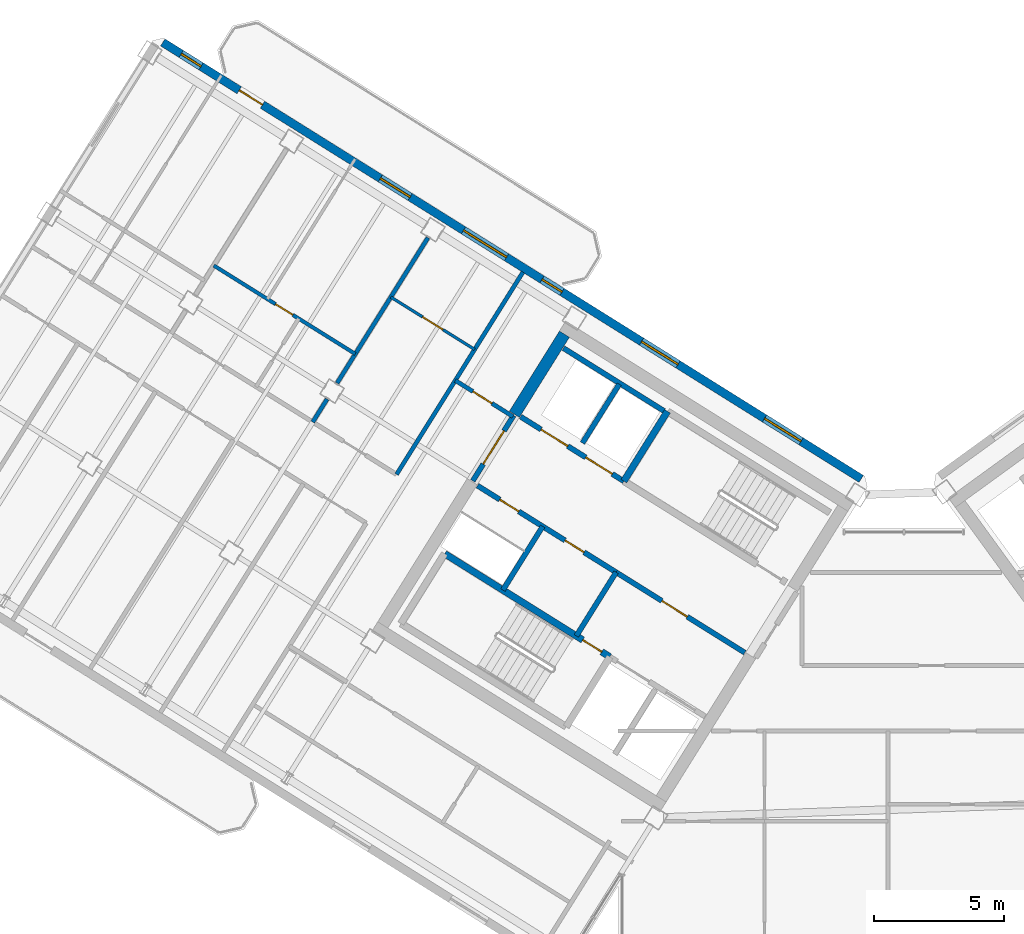
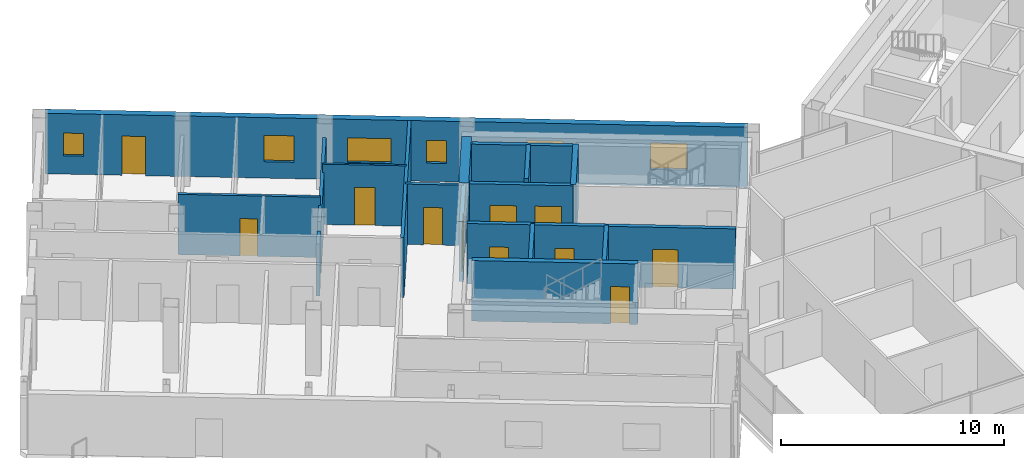
# One storey, part 17 of 25: 18 walls, 11 doors, 6 windows, 17 openings.
"""IFC4 building model written with IfcOpenShell, lengths in metres."""

from ifc_helpers import new_model, si_unit, direction, frame, frame_2d, origin, place, context, subcontext, project, spatial, rectangle, extrude, source, transform, mapped, material, layer, layer_set, type_object, element, fill, save


model = new_model("IFC4")

# Units and contexts
model_context = context("Model", 3, precision=1e-05, world=origin(), true_north=direction((0.0, 1.0)))
body_context = subcontext(model_context, "Body", "Model", "MODEL_VIEW")
ifc_project = project(units=[si_unit("LENGTHUNIT", "METRE"), si_unit("AREAUNIT", "SQUARE_METRE"), si_unit("VOLUMEUNIT", "CUBIC_METRE"), si_unit("PLANEANGLEUNIT", "RADIAN"), si_unit("MASSUNIT", "GRAM", prefix="KILO")], contexts=[model_context])

# Site, building, storey
site_placement = place(None, origin())
site = spatial("IfcSite", under=ifc_project, at=site_placement, CompositionType="ELEMENT")
building_placement = place(site_placement, origin())
building = spatial("IfcBuilding", under=site, at=building_placement, Name="Tlacorven Tower", CompositionType="ELEMENT")
storey_placement = place(building_placement, frame((0.0, 0.0, 251.10009765625)))
storey = spatial("IfcBuildingStorey", under=building, at=storey_placement, Name="L63", CompositionType="ELEMENT", Elevation=251.10009765625)

# Wall
ifc_material_1 = material(Name="Concrete C50/60", Category="concrete")
ifc_layer_1 = layer(ifc_material_1, 0.449951171875)
ifc_layer_set_1 = layer_set([ifc_layer_1], Name="Concrete C50/60")
wall_type_1 = type_object("IfcWallType", Name="WL-COR-450", PredefinedType="SHEAR", material=ifc_layer_set_1)
wall_1_placement = place(storey_placement, frame((29.543701171875, 30.636474609375, 0.0), z_axis=(0.0, 0.0, 1.0), x_axis=(-0.529902075036, -0.848058836916, 0.0)))
element("IfcWall", 1, at=wall_1_placement, inside=storey, type_object=wall_type_1, Name="L63 W core end wall E2.1", PredefinedType="SHEAR", context=body_context, shape_type="SweptSolid", body=[
    extrude(rectangle(XDim=3.625, YDim=0.449951171875, at=frame_2d((1.8125, 0.0))), origin(), (0.0, 0.0, 1.0), 3.31982421875),
])

# Wall, opening, door
ifc_material_2 = material(Name="Gypsum plasterboard acoustic partition", Category="gypsum")
ifc_layer_2 = layer(ifc_material_2, 0.159912109375)
ifc_layer_set_2 = layer_set([ifc_layer_2], Name="Gypsum plasterboard acoustic partition")
wall_type_2 = type_object("IfcWallType", Name="WL-DEM-160", PredefinedType="PARTITIONING", material=ifc_layer_set_2)
wall_2_placement = place(storey_placement, frame((27.56982421875, 27.4775390625, 0.0), z_axis=(0.0, 0.0, 1.0), x_axis=(-0.848050851465, 0.529914854792, 0.0)))
wall_2 = element("IfcWall", 2, at=wall_2_placement, inside=storey, type_object=wall_type_2, Name="L63 partition 36", PredefinedType="PARTITIONING", context=body_context, shape_type="SweptSolid", body=[
    extrude(rectangle(XDim=2.60986328125, YDim=0.159912109375, at=frame_2d((1.304931640625, 0.0))), origin(), (0.0, 0.0, 1.0), 3.309814453125),
])
opening_1_placement = place(wall_2_placement, frame((0.949951171875, 0.0, 0.0)))
opening_1 = element("IfcOpeningElement", 3, at=opening_1_placement, cuts=wall_2, Name="Opening D19", PredefinedType="OPENING", context=body_context, shape_type="SweptSolid", body=[
    extrude(rectangle(XDim=0.860107421875, YDim=2.050048828125, at=frame_2d((0.43017578125, 1.02490234375))), frame((0.0, 0.08984375, 0.0), z_axis=(0.0, -1.0, 0.0), x_axis=(1.0, 0.0, 0.0)), (0.0, 0.0, 1.0), 0.179931640625),
])
ifc_material_3 = material(Name="Fire-rated steel door assembly", Category="steel")
door_type_1 = type_object("IfcDoorType", Name="DR-RSR-FD60-0860", OperationType="NOTDEFINED", PredefinedType="DOOR", material=ifc_material_3)
shared_shape_1 = source(origin(), body_context, "Body", "SweptSolid", [
    extrude(rectangle(XDim=0.860107421875, YDim=2.050048828125, at=frame_2d((0.43017578125, 1.02490234375))), frame((0.0, 0.02490234375, 0.0), z_axis=(0.0, -1.0, 0.0), x_axis=(1.0, 0.0, 0.0)), (0.0, 0.0, 1.0), 0.050048828125),
])
door_1_placement = place(opening_1_placement, frame((0.860107421875, 0.0, 0.0), z_axis=(0.0, 0.0, 1.0), x_axis=(-1.0, 0.0, 0.0)))
door_1 = element("IfcDoor", 4, at=door_1_placement, inside=storey, type_object=door_type_1, Name="L63 door 019", OperationType="SINGLE_SWING_RIGHT", OverallHeight=2.050048828125, OverallWidth=0.860107421875, PredefinedType="DOOR", context=body_context, shape_type="MappedRepresentation", body=[
    mapped(shared_shape_1, transform((0.0, 0.0, 0.0), scale=1.0)),
])
fill(opening_1, door_1)

# Walls
wall_3_placement = place(storey_placement, frame((27.952880859375, 33.01611328125, 0.0), z_axis=(0.0, 0.0, 1.0), x_axis=(-0.529903001606, -0.848058257957, 0.0)))
element("IfcWall", 5, at=wall_3_placement, inside=storey, type_object=wall_type_2, Name="L63 partition 38", PredefinedType="PARTITIONING", context=body_context, shape_type="SweptSolid", body=[
    extrude(rectangle(XDim=9.150146484375, YDim=0.159912109375, at=frame_2d((4.5751953125, 0.0))), origin(), (0.0, 0.0, 1.0), 3.309814453125),
])
wall_4_placement = place(storey_placement, frame((24.30859375, 34.3359375, 0.0), z_axis=(0.0, 0.0, 1.0), x_axis=(-0.529895484599, -0.848062954858, 0.0)))
element("IfcWall", 6, at=wall_4_placement, inside=storey, type_object=wall_type_2, Name="L63 WS Demising Wall 1", PredefinedType="PARTITIONING", context=body_context, shape_type="SweptSolid", body=[
    extrude(rectangle(XDim=6.576171875, YDim=0.159912109375, at=frame_2d((3.2880859375, 0.0))), origin(), (0.0, 0.0, 1.0), 2.844970703125),
])
wall_5_placement = place(storey_placement, frame((20.440185546875, 28.14501953125, 0.0), z_axis=(0.0, 0.0, 1.0), x_axis=(-0.529977795385, -0.848011519025, 0.0)))
element("IfcWall", 7, at=wall_5_placement, inside=storey, type_object=wall_type_2, Name="L63 WS Demising Wall 1", PredefinedType="PARTITIONING", context=body_context, shape_type="SweptSolid", body=[
    extrude(rectangle(XDim=1.037841796875, YDim=0.159912109375, at=frame_2d((0.51904296875, 0.0))), origin(), (0.0, 0.0, 1.0), 2.844970703125),
])

# Wall, openings, door, windows
ifc_material_4 = material(Name="Precast concrete C45/55", Category="concrete")
ifc_layer_3 = layer(ifc_material_4, 0.320068359375)
ifc_layer_set_3 = layer_set([ifc_layer_3], Name="Precast concrete C45/55")
wall_type_3 = type_object("IfcWallType", Name="WL-EXT-320", PredefinedType="STANDARD", material=ifc_layer_set_3)
wall_6_placement = place(storey_placement, frame((14.13818359375, 41.825439453125, 0.0), z_axis=(0.0, 0.0, 1.0), x_axis=(0.848046498049, -0.529921821731, 0.0)))
wall_6 = element("IfcWall", 8, at=wall_6_placement, inside=storey, type_object=wall_type_3, Name="L63 Masonry-Frame Recessed Facade Wall 3", PredefinedType="STANDARD", context=body_context, shape_type="SweptSolid", body=[
    extrude(rectangle(XDim=31.587646484375, YDim=0.320068359375, at=frame_2d((15.7939453125, 0.0))), origin(), (0.0, 0.0, 1.0), 3.31982421875),
])
opening_2_placement = place(wall_6_placement, frame((3.4599609375, 0.0, 0.0)))
opening_2 = element("IfcOpeningElement", 9, at=opening_2_placement, cuts=wall_6, Name="Opening D06", PredefinedType="OPENING", context=body_context, shape_type="SweptSolid", body=[
    extrude(rectangle(XDim=1.050048828125, YDim=2.14990234375, at=frame_2d((0.52490234375, 1.074951171875))), frame((0.0, 0.169921875, 0.0), z_axis=(0.0, -1.0, 0.0), x_axis=(1.0, 0.0, 0.0)), (0.0, 0.0, 1.0), 0.340087890625),
])
opening_3_placement = place(wall_6_placement, frame((0.831298828125, 0.0, 1.0)))
opening_3 = element("IfcOpeningElement", 10, at=opening_3_placement, cuts=wall_6, Name="Opening WN05", PredefinedType="OPENING", context=body_context, shape_type="SweptSolid", body=[
    extrude(rectangle(XDim=0.89990234375, YDim=1.25, at=frame_2d((0.449951171875, 0.625))), frame((0.0, 0.169921875, 0.0), z_axis=(0.0, -1.0, 0.0), x_axis=(1.0, 0.0, 0.0)), (0.0, 0.0, 1.0), 0.340087890625),
])
opening_4_placement = place(wall_6_placement, frame((9.837158203125, 0.0, 0.89990234375)))
opening_4 = element("IfcOpeningElement", 11, at=opening_4_placement, cuts=wall_6, Name="Opening WN08", PredefinedType="OPENING", context=body_context, shape_type="SweptSolid", body=[
    extrude(rectangle(XDim=1.35009765625, YDim=1.449951171875, at=frame_2d((0.675048828125, 0.72509765625))), frame((0.0, 0.169921875, 0.0), z_axis=(0.0, -1.0, 0.0), x_axis=(1.0, 0.0, 0.0)), (0.0, 0.0, 1.0), 0.340087890625),
])
opening_5_placement = place(wall_6_placement, frame((13.5986328125, 0.0, 0.949951171875)))
opening_5 = element("IfcOpeningElement", 12, at=opening_5_placement, cuts=wall_6, Name="Opening WN09", PredefinedType="OPENING", context=body_context, shape_type="SweptSolid", body=[
    extrude(rectangle(XDim=1.949951171875, YDim=1.35009765625, at=frame_2d((0.97509765625, 0.675048828125))), frame((0.0, 0.169921875, 0.0), z_axis=(0.0, -1.0, 0.0), x_axis=(1.0, 0.0, 0.0)), (0.0, 0.0, 1.0), 0.340087890625),
])
opening_6_placement = place(wall_6_placement, frame((17.15380859375, 0.0, 1.0)))
opening_6 = element("IfcOpeningElement", 13, at=opening_6_placement, cuts=wall_6, Name="Opening WN05", PredefinedType="OPENING", context=body_context, shape_type="SweptSolid", body=[
    extrude(rectangle(XDim=0.89990234375, YDim=1.25, at=frame_2d((0.449951171875, 0.625))), frame((0.0, 0.169921875, 0.0), z_axis=(0.0, -1.0, 0.0), x_axis=(1.0, 0.0, 0.0)), (0.0, 0.0, 1.0), 0.340087890625),
])
opening_7_placement = place(wall_6_placement, frame((21.65087890625, 0.0, 0.89990234375)))
opening_7 = element("IfcOpeningElement", 14, at=opening_7_placement, cuts=wall_6, Name="Opening WN07", PredefinedType="OPENING", context=body_context, shape_type="SweptSolid", body=[
    extrude(rectangle(XDim=1.64990234375, YDim=1.449951171875, at=frame_2d((0.824951171875, 0.72509765625))), frame((0.0, 0.169921875, 0.0), z_axis=(0.0, -1.0, 0.0), x_axis=(1.0, 0.0, 0.0)), (0.0, 0.0, 1.0), 0.340087890625),
])
opening_8_placement = place(wall_6_placement, frame((27.215087890625, 0.0, 0.89990234375)))
opening_8 = element("IfcOpeningElement", 15, at=opening_8_placement, cuts=wall_6, Name="Opening WN07", PredefinedType="OPENING", context=body_context, shape_type="SweptSolid", body=[
    extrude(rectangle(XDim=1.64990234375, YDim=1.449951171875, at=frame_2d((0.824951171875, 0.72509765625))), frame((0.0, 0.169921875, 0.0), z_axis=(0.0, -1.0, 0.0), x_axis=(1.0, 0.0, 0.0)), (0.0, 0.0, 1.0), 0.340087890625),
])
ifc_material_5 = material(Name="Powder-coated aluminium and timber door", Category="wood")
door_type_2 = type_object("IfcDoorType", Name="DR-EXT-BALC-1050", OperationType="NOTDEFINED", PredefinedType="DOOR", material=ifc_material_5)
shared_shape_2 = source(origin(), body_context, "Body", "SweptSolid", [
    extrude(rectangle(XDim=1.050048828125, YDim=2.14990234375, at=frame_2d((0.52490234375, 1.074951171875))), frame((0.0, 0.02490234375, 0.0), z_axis=(0.0, -1.0, 0.0), x_axis=(1.0, 0.0, 0.0)), (0.0, 0.0, 1.0), 0.050048828125),
])
door_2_placement = place(opening_2_placement, origin())
door_2 = element("IfcDoor", 16, at=door_2_placement, inside=storey, type_object=door_type_2, Name="L63 Outdoor Access Door BAL-L63-W-IN", OperationType="SINGLE_SWING_RIGHT", OverallHeight=2.14990234375, OverallWidth=1.050048828125, PredefinedType="DOOR", context=body_context, shape_type="MappedRepresentation", body=[
    mapped(shared_shape_2, transform((0.0, 0.0, 0.0), scale=1.0)),
])
fill(opening_2, door_2)
ifc_material_6 = material(Name="Dark solar low-E double glazing in anodised aluminium frame", Category="aluminium")
window_type_1 = type_object("IfcWindowType", Name="WN-APT-0900X1350", PartitioningType="SINGLE_PANEL", PredefinedType="WINDOW", material=ifc_material_6)
shared_shape_3 = source(origin(), body_context, "Body", "SweptSolid", [
    extrude(rectangle(XDim=0.89990234375, YDim=1.25, at=frame_2d((0.449951171875, 0.625))), frame((0.0, 0.030029296875, 0.0), z_axis=(0.0, -1.0, 0.0), x_axis=(1.0, 0.0, 0.0)), (0.0, 0.0, 1.0), 0.06005859375),
])
window_1_placement = place(opening_3_placement, origin())
window_1 = element("IfcWindow", 17, at=window_1_placement, inside=storey, type_object=window_type_1, Name="L63 Recessed Masonry-Frame Window L63-03.1", OverallHeight=1.25, OverallWidth=0.89990234375, PartitioningType="SINGLE_PANEL", PredefinedType="WINDOW", context=body_context, shape_type="MappedRepresentation", body=[
    mapped(shared_shape_3, transform((0.0, 0.0, 0.0), scale=1.0)),
])
fill(opening_3, window_1)
window_2_placement = place(opening_6_placement, origin())
window_2 = element("IfcWindow", 18, at=window_2_placement, inside=storey, type_object=window_type_1, Name="L63 Recessed Masonry-Frame Window L63-03.4", OverallHeight=1.25, OverallWidth=0.89990234375, PartitioningType="SINGLE_PANEL", PredefinedType="WINDOW", context=body_context, shape_type="MappedRepresentation", body=[
    mapped(shared_shape_3, transform((0.0, 0.0, 0.0), scale=1.0)),
])
fill(opening_6, window_2)
window_type_2 = type_object("IfcWindowType", Name="WN-APT-1650X1600", PartitioningType="SINGLE_PANEL", PredefinedType="WINDOW", material=ifc_material_6)
shared_shape_4 = source(origin(), body_context, "Body", "SweptSolid", [
    extrude(rectangle(XDim=1.64990234375, YDim=1.449951171875, at=frame_2d((0.824951171875, 0.72509765625))), frame((0.0, 0.030029296875, 0.0), z_axis=(0.0, -1.0, 0.0), x_axis=(1.0, 0.0, 0.0)), (0.0, 0.0, 1.0), 0.06005859375),
])
window_3_placement = place(opening_7_placement, origin())
window_3 = element("IfcWindow", 19, at=window_3_placement, inside=storey, type_object=window_type_2, Name="L63 Recessed Masonry-Frame Window L63-03.5", OverallHeight=1.449951171875, OverallWidth=1.64990234375, PartitioningType="SINGLE_PANEL", PredefinedType="WINDOW", context=body_context, shape_type="MappedRepresentation", body=[
    mapped(shared_shape_4, transform((0.0, 0.0, 0.0), scale=1.0)),
])
fill(opening_7, window_3)
window_4_placement = place(opening_8_placement, origin())
window_4 = element("IfcWindow", 20, at=window_4_placement, inside=storey, type_object=window_type_2, Name="L63 Recessed Masonry-Frame Window L63-03.6", OverallHeight=1.449951171875, OverallWidth=1.64990234375, PartitioningType="SINGLE_PANEL", PredefinedType="WINDOW", context=body_context, shape_type="MappedRepresentation", body=[
    mapped(shared_shape_4, transform((0.0, 0.0, 0.0), scale=1.0)),
])
fill(opening_8, window_4)
window_type_3 = type_object("IfcWindowType", Name="WN-APT-1350X1550", PartitioningType="SINGLE_PANEL", PredefinedType="WINDOW", material=ifc_material_6)
shared_shape_5 = source(origin(), body_context, "Body", "SweptSolid", [
    extrude(rectangle(XDim=1.35009765625, YDim=1.449951171875, at=frame_2d((0.675048828125, 0.72509765625))), frame((0.0, 0.030029296875, 0.0), z_axis=(0.0, -1.0, 0.0), x_axis=(1.0, 0.0, 0.0)), (0.0, 0.0, 1.0), 0.06005859375),
])
window_5_placement = place(opening_4_placement, origin())
window_5 = element("IfcWindow", 21, at=window_5_placement, inside=storey, type_object=window_type_3, Name="L63 Recessed Masonry-Frame Window L63-03.2", OverallHeight=1.449951171875, OverallWidth=1.35009765625, PartitioningType="SINGLE_PANEL", PredefinedType="WINDOW", context=body_context, shape_type="MappedRepresentation", body=[
    mapped(shared_shape_5, transform((0.0, 0.0, 0.0), scale=1.0)),
])
fill(opening_4, window_5)
window_type_4 = type_object("IfcWindowType", Name="WN-GAL-1950X1450", PartitioningType="SINGLE_PANEL", PredefinedType="WINDOW", material=ifc_material_6)
shared_shape_6 = source(origin(), body_context, "Body", "SweptSolid", [
    extrude(rectangle(XDim=1.949951171875, YDim=1.35009765625, at=frame_2d((0.97509765625, 0.675048828125))), frame((0.0, 0.030029296875, 0.0), z_axis=(0.0, -1.0, 0.0), x_axis=(1.0, 0.0, 0.0)), (0.0, 0.0, 1.0), 0.06005859375),
])
window_6_placement = place(opening_5_placement, origin())
window_6 = element("IfcWindow", 22, at=window_6_placement, inside=storey, type_object=window_type_4, Name="L63 Recessed Masonry-Frame Window L63-03.3", OverallHeight=1.35009765625, OverallWidth=1.949951171875, PartitioningType="SINGLE_PANEL", PredefinedType="WINDOW", context=body_context, shape_type="MappedRepresentation", body=[
    mapped(shared_shape_6, transform((0.0, 0.0, 0.0), scale=1.0)),
])
fill(opening_5, window_6)

# Wall, opening, door
ifc_material_7 = material(Name="Gypsum plasterboard partition", Category="gypsum")
ifc_layer_4 = layer(ifc_material_7, 0.110107421875)
ifc_layer_set_4 = layer_set([ifc_layer_4], Name="Gypsum plasterboard partition")
wall_type_4 = type_object("IfcWallType", Name="WL-INT-110", PredefinedType="PARTITIONING", material=ifc_layer_set_4)
wall_7_placement = place(storey_placement, frame((26.099365234375, 30.049560546875, 0.0), z_axis=(0.0, 0.0, 1.0), x_axis=(-0.84803087207, 0.529946827537, 0.0)))
wall_7 = element("IfcWall", 23, at=wall_7_placement, inside=storey, type_object=wall_type_4, Name="L63 partition 48", PredefinedType="PARTITIONING", context=body_context, shape_type="SweptSolid", body=[
    extrude(rectangle(XDim=3.7900390625, YDim=0.110107421875, at=frame_2d((1.89501953125, 0.0))), origin(), (0.0, 0.0, 1.0), 3.309814453125),
])
opening_9_placement = place(wall_7_placement, frame((1.43505859375, 0.0, 0.0)))
opening_9 = element("IfcOpeningElement", 24, at=opening_9_placement, cuts=wall_7, Name="Opening D12", PredefinedType="OPENING", context=body_context, shape_type="SweptSolid", body=[
    extrude(rectangle(XDim=0.919921875, YDim=2.080078125, at=frame_2d((0.4599609375, 1.0400390625))), frame((0.0, 0.06494140625, 0.0), z_axis=(0.0, -1.0, 0.0), x_axis=(1.0, 0.0, 0.0)), (0.0, 0.0, 1.0), 0.130126953125),
])
door_type_3 = type_object("IfcDoorType", Name="DR-INT-ROOM-0920", OperationType="NOTDEFINED", PredefinedType="DOOR", material=ifc_material_5)
shared_shape_7 = source(origin(), body_context, "Body", "SweptSolid", [
    extrude(rectangle(XDim=0.919921875, YDim=2.080078125, at=frame_2d((0.4599609375, 1.0400390625))), frame((0.0, 0.02490234375, 0.0), z_axis=(0.0, -1.0, 0.0), x_axis=(1.0, 0.0, 0.0)), (0.0, 0.0, 1.0), 0.050048828125),
])
door_3_placement = place(opening_9_placement, origin())
door_3 = element("IfcDoor", 25, at=door_3_placement, inside=storey, type_object=door_type_3, Name="L63 door 027", OperationType="SINGLE_SWING_LEFT", OverallHeight=2.080078125, OverallWidth=0.919921875, PredefinedType="DOOR", context=body_context, shape_type="MappedRepresentation", body=[
    mapped(shared_shape_7, transform((0.0, 0.0, 0.0), scale=1.0)),
])
fill(opening_9, door_3)

ifc_material_8 = material(Name="Moisture-resistant gypsum plumbing wall", Category="gypsum")
ifc_layer_5 = layer(ifc_material_8, 0.139892578125)
ifc_layer_set_5 = layer_set([ifc_layer_5], Name="Moisture-resistant gypsum plumbing wall")
wall_type_5 = type_object("IfcWallType", Name="WL-PLM-140", PredefinedType="PLUMBINGWALL", material=ifc_layer_set_5)
wall_8_placement = place(storey_placement, frame((21.522216796875, 29.876708984375, 0.0), z_axis=(0.0, 0.0, 1.0), x_axis=(-0.848039019877, 0.529933789039, 0.0)))
wall_8 = element("IfcWall", 26, at=wall_8_placement, inside=storey, type_object=wall_type_5, Name="L63 partition 50", PredefinedType="PLUMBINGWALL", context=body_context, shape_type="SweptSolid", body=[
    extrude(rectangle(XDim=6.400146484375, YDim=0.139892578125, at=frame_2d((3.2001953125, 0.0))), origin(), (0.0, 0.0, 1.0), 3.309814453125),
])
opening_10_placement = place(wall_8_placement, frame((2.823974609375, 0.0, 0.0)))
opening_10 = element("IfcOpeningElement", 27, at=opening_10_placement, cuts=wall_8, Name="Opening D22", PredefinedType="OPENING", context=body_context, shape_type="SweptSolid", body=[
    extrude(rectangle(XDim=0.780029296875, YDim=2.050048828125, at=frame_2d((0.39013671875, 1.02490234375))), frame((0.0, 0.080078125, 0.0), z_axis=(0.0, -1.0, 0.0), x_axis=(1.0, 0.0, 0.0)), (0.0, 0.0, 1.0), 0.159912109375),
])
door_type_4 = type_object("IfcDoorType", Name="DR-INT-WET-0780", OperationType="NOTDEFINED", PredefinedType="DOOR", material=ifc_material_5)
shared_shape_8 = source(origin(), body_context, "Body", "SweptSolid", [
    extrude(rectangle(XDim=0.780029296875, YDim=2.050048828125, at=frame_2d((0.39013671875, 1.02490234375))), frame((0.0, 0.02490234375, 0.0), z_axis=(0.0, -1.0, 0.0), x_axis=(1.0, 0.0, 0.0)), (0.0, 0.0, 1.0), 0.050048828125),
])
door_4_placement = place(opening_10_placement, origin())
door_4 = element("IfcDoor", 28, at=door_4_placement, inside=storey, type_object=door_type_4, Name="L63 door 030", OperationType="SINGLE_SWING_RIGHT", OverallHeight=2.050048828125, OverallWidth=0.780029296875, PredefinedType="DOOR", context=body_context, shape_type="MappedRepresentation", body=[
    mapped(shared_shape_8, transform((0.0, 0.0, 0.0), scale=1.0)),
])
fill(opening_10, door_4)

ifc_material_9 = material(Name="Concrete C40/50", Category="concrete")
ifc_layer_6 = layer(ifc_material_9, 0.199951171875)
ifc_layer_set_6 = layer_set([ifc_layer_6], Name="Concrete C40/50")
wall_type_6 = type_object("IfcWallType", Name="WL-SHF-200", PredefinedType="STANDARD", material=ifc_layer_set_6)
wall_9_placement = place(storey_placement, frame((36.459228515625, 18.420654296875, 0.0), z_axis=(0.0, 0.0, 1.0), x_axis=(-0.848059591691, 0.529900867089, 0.0)))
wall_9 = element("IfcWall", 29, at=wall_9_placement, inside=storey, type_object=wall_type_6, Name="L63 Core W Smoke Lobby Wall", PredefinedType="STANDARD", context=body_context, shape_type="SweptSolid", body=[
    extrude(rectangle(XDim=5.818115234375, YDim=0.199951171875, at=frame_2d((2.9091796875, 0.0))), origin(), (0.0, 0.0, 1.0), 3.309814453125),
])
opening_11_placement = place(wall_9_placement, frame((2.597900390625, 0.0, 0.0)))
opening_11 = element("IfcOpeningElement", 30, at=opening_11_placement, cuts=wall_9, Name="Opening D09", PredefinedType="OPENING", context=body_context, shape_type="SweptSolid", body=[
    extrude(rectangle(XDim=1.14990234375, YDim=2.10009765625, at=frame_2d((0.574951171875, 1.050048828125))), frame((0.0, 0.10986328125, 0.0), z_axis=(0.0, -1.0, 0.0), x_axis=(1.0, 0.0, 0.0)), (0.0, 0.0, 1.0), 0.219970703125),
])
door_type_5 = type_object("IfcDoorType", Name="DR-FFL-FD60-1150", OperationType="NOTDEFINED", PredefinedType="DOOR", material=ifc_material_3)
shared_shape_9 = source(origin(), body_context, "Body", "SweptSolid", [
    extrude(rectangle(XDim=1.14990234375, YDim=2.10009765625, at=frame_2d((0.574951171875, 1.050048828125))), frame((0.0, 0.02490234375, 0.0), z_axis=(0.0, -1.0, 0.0), x_axis=(1.0, 0.0, 0.0)), (0.0, 0.0, 1.0), 0.050048828125),
])
door_5_placement = place(opening_11_placement, origin())
door_5 = element("IfcDoor", 31, at=door_5_placement, inside=storey, type_object=door_type_5, Name="L63 Firefighting Lobby W Fire Door", OperationType="SINGLE_SWING_LEFT", OverallHeight=2.10009765625, OverallWidth=1.14990234375, PredefinedType="DOOR", context=body_context, shape_type="MappedRepresentation", body=[
    mapped(shared_shape_9, transform((0.0, 0.0, 0.0), scale=1.0)),
])
fill(opening_11, door_5)

# Wall, openings, doors
wall_10_placement = place(storey_placement, frame((31.82177734375, 24.99755859375, 0.0), z_axis=(0.0, 0.0, 1.0), x_axis=(-0.848054125777, 0.529909614701, 0.0)))
wall_10 = element("IfcWall", 32, at=wall_10_placement, inside=storey, type_object=wall_type_6, Name="L63 Core W South Lift Shaft Wall", PredefinedType="STANDARD", context=body_context, shape_type="SweptSolid", body=[
    extrude(rectangle(XDim=4.66796875, YDim=0.199951171875, at=frame_2d((2.333984375, 0.0))), origin(), (0.0, 0.0, 1.0), 3.309814453125),
])
opening_12_placement = place(wall_10_placement, frame((0.52001953125, 0.0, 0.0)))
opening_12 = element("IfcOpeningElement", 33, at=opening_12_placement, cuts=wall_10, Name="Opening LD02", PredefinedType="OPENING", context=body_context, shape_type="SweptSolid", body=[
    extrude(rectangle(XDim=1.199951171875, YDim=2.14990234375, at=frame_2d((0.60009765625, 1.074951171875))), frame((0.0, 0.10986328125, 0.0), z_axis=(0.0, -1.0, 0.0), x_axis=(1.0, 0.0, 0.0)), (0.0, 0.0, 1.0), 0.219970703125),
])
opening_13_placement = place(wall_10_placement, frame((2.5400390625, 0.0, 0.0)))
opening_13 = element("IfcOpeningElement", 34, at=opening_13_placement, cuts=wall_10, Name="Opening LD02", PredefinedType="OPENING", context=body_context, shape_type="SweptSolid", body=[
    extrude(rectangle(XDim=1.199951171875, YDim=2.14990234375, at=frame_2d((0.60009765625, 1.074951171875))), frame((0.0, 0.10986328125, 0.0), z_axis=(0.0, -1.0, 0.0), x_axis=(1.0, 0.0, 0.0)), (0.0, 0.0, 1.0), 0.219970703125),
])
door_type_6 = type_object("IfcDoorType", Name="DR-LFT-SLID-1200", OperationType="DOUBLE_DOOR_SLIDING", PredefinedType="DOOR", material=ifc_material_3)
shared_shape_10 = source(origin(), body_context, "Body", "SweptSolid", [
    extrude(rectangle(XDim=1.199951171875, YDim=2.14990234375, at=frame_2d((0.60009765625, 1.074951171875))), frame((0.0, 0.02490234375, 0.0), z_axis=(0.0, -1.0, 0.0), x_axis=(1.0, 0.0, 0.0)), (0.0, 0.0, 1.0), 0.050048828125),
])
door_6_placement = place(opening_12_placement, origin())
door_6 = element("IfcDoor", 35, at=door_6_placement, inside=storey, type_object=door_type_6, Name="L63 Lift PL-H1 Sliding Landing Door", OperationType="DOUBLE_DOOR_SLIDING", OverallHeight=2.14990234375, OverallWidth=1.199951171875, PredefinedType="DOOR", context=body_context, shape_type="MappedRepresentation", body=[
    mapped(shared_shape_10, transform((0.0, 0.0, 0.0), scale=1.0)),
])
fill(opening_12, door_6)
door_7_placement = place(opening_13_placement, origin())
door_7 = element("IfcDoor", 36, at=door_7_placement, inside=storey, type_object=door_type_6, Name="L63 Lift PL-H2 Sliding Landing Door", OperationType="DOUBLE_DOOR_SLIDING", OverallHeight=2.14990234375, OverallWidth=1.199951171875, PredefinedType="DOOR", context=body_context, shape_type="MappedRepresentation", body=[
    mapped(shared_shape_10, transform((0.0, 0.0, 0.0), scale=1.0)),
])
fill(opening_13, door_7)

# Walls
wall_11_placement = place(storey_placement, frame((31.645263671875, 28.716064453125, 0.0), z_axis=(0.0, 0.0, 1.0), x_axis=(-0.52986693015, -0.848080795876, 0.0)))
element("IfcWall", 37, at=wall_11_placement, inside=storey, type_object=wall_type_6, Name="L63 partition 12", PredefinedType="STANDARD", context=body_context, shape_type="SweptSolid", body=[
    extrude(rectangle(XDim=2.659912109375, YDim=0.199951171875, at=frame_2d((1.330078125, 0.0))), origin(), (0.0, 0.0, 1.0), 3.309814453125),
])
wall_12_placement = place(storey_placement, frame((33.362548828125, 27.690185546875, 0.0), z_axis=(0.0, 0.0, 1.0), x_axis=(-0.84804957148, 0.529916903215, 0.0)))
element("IfcWall", 38, at=wall_12_placement, inside=storey, type_object=wall_type_6, Name="L63 partition 14", PredefinedType="STANDARD", context=body_context, shape_type="SweptSolid", body=[
    extrude(rectangle(XDim=4.547607421875, YDim=0.199951171875, at=frame_2d((2.27392578125, 0.0))), origin(), (0.0, 0.0, 1.0), 3.309814453125),
])
for number, where, z_axis, x_axis, name in (
    (39, (31.525146484375, 21.503662109375, 0.0), (0.0, 0.0, 1.0), (-0.529907497854, -0.848055448493, 0.0), "L63 partition 15"),
    (40, (28.709716796875, 23.26318359375, 0.0), (0.0, 0.0, 1.0), (-0.529907497854, -0.848055448493, 0.0), "L63 partition 16"),
):
    element("IfcWall", number, at=place(storey_placement, frame(where, z_axis=z_axis, x_axis=x_axis)), inside=storey, type_object=wall_type_6, Name=name, PredefinedType="STANDARD", context=body_context, shape_type="SweptSolid", body=[
        extrude(rectangle(XDim=2.8798828125, YDim=0.199951171875, at=frame_2d((1.43994140625, 0.0))), origin(), (0.0, 0.0, 1.0), 3.309814453125),
    ])

# Wall, openings, doors
wall_13_placement = place(storey_placement, frame((31.525146484375, 21.503662109375, 0.0), z_axis=(0.0, 0.0, 1.0), x_axis=(-0.848042066329, 0.529928913853, 0.0)))
wall_13 = element("IfcWall", 41, at=wall_13_placement, inside=storey, type_object=wall_type_6, Name="L63 Core W North Service Wall", PredefinedType="STANDARD", context=body_context, shape_type="SweptSolid", body=[
    extrude(rectangle(XDim=6.267822265625, YDim=0.199951171875, at=frame_2d((3.1337890625, 0.0))), origin(), (0.0, 0.0, 1.0), 3.309814453125),
])
opening_14_placement = place(wall_13_placement, frame((4.39990234375, 0.0, 0.0)))
opening_14 = element("IfcOpeningElement", 42, at=opening_14_placement, cuts=wall_13, Name="Opening D19", PredefinedType="OPENING", context=body_context, shape_type="SweptSolid", body=[
    extrude(rectangle(XDim=0.860107421875, YDim=2.050048828125, at=frame_2d((0.43017578125, 1.02490234375))), frame((0.0, 0.10986328125, 0.0), z_axis=(0.0, -1.0, 0.0), x_axis=(1.0, 0.0, 0.0)), (0.0, 0.0, 1.0), 0.219970703125),
])
opening_15_placement = place(wall_13_placement, frame((1.449951171875, 0.0, 0.0)))
opening_15 = element("IfcOpeningElement", 43, at=opening_15_placement, cuts=wall_13, Name="Opening D19", PredefinedType="OPENING", context=body_context, shape_type="SweptSolid", body=[
    extrude(rectangle(XDim=0.860107421875, YDim=2.050048828125, at=frame_2d((0.43017578125, 1.02490234375))), frame((0.0, 0.10986328125, 0.0), z_axis=(0.0, -1.0, 0.0), x_axis=(1.0, 0.0, 0.0)), (0.0, 0.0, 1.0), 0.219970703125),
])
door_8_placement = place(opening_14_placement, frame((0.860107421875, 0.0, 0.0), z_axis=(0.0, 0.0, 1.0), x_axis=(-1.0, 0.0, 0.0)))
door_8 = element("IfcDoor", 44, at=door_8_placement, inside=storey, type_object=door_type_1, Name="L63 Electrical Riser Access Door W", OperationType="SINGLE_SWING_RIGHT", OverallHeight=2.050048828125, OverallWidth=0.860107421875, PredefinedType="DOOR", context=body_context, shape_type="MappedRepresentation", body=[
    mapped(shared_shape_1, transform((0.0, 0.0, 0.0), scale=1.0)),
])
fill(opening_14, door_8)
door_9_placement = place(opening_15_placement, frame((0.860107421875, 0.0, 0.0), z_axis=(0.0, 0.0, 1.0), x_axis=(-1.0, 0.0, 0.0)))
door_9 = element("IfcDoor", 45, at=door_9_placement, inside=storey, type_object=door_type_1, Name="L63 Housekeeping Linen Access Door W", OperationType="SINGLE_SWING_LEFT", OverallHeight=2.050048828125, OverallWidth=0.860107421875, PredefinedType="DOOR", context=body_context, shape_type="MappedRepresentation", body=[
    mapped(shared_shape_1, transform((0.0, 0.0, 0.0), scale=1.0)),
])
fill(opening_15, door_9)

# Wall, opening, door
wall_14_placement = place(storey_placement, frame((27.59619140625, 27.52001953125, 0.0), z_axis=(0.0, 0.0, 1.0), x_axis=(-0.529865479138, -0.848081702443, 0.0)))
wall_14 = element("IfcWall", 46, at=wall_14_placement, inside=storey, type_object=wall_type_6, Name="L63 partition 35", PredefinedType="STANDARD", context=body_context, shape_type="SweptSolid", body=[
    extrude(rectangle(XDim=2.9599609375, YDim=0.199951171875, at=frame_2d((1.47998046875, 0.0))), origin(), (0.0, 0.0, 1.0), 3.309814453125),
])
opening_16_placement = place(wall_14_placement, frame((0.699951171875, 0.0, 0.0)))
opening_16 = element("IfcOpeningElement", 47, at=opening_16_placement, cuts=wall_14, Name="Opening D10", PredefinedType="OPENING", context=body_context, shape_type="SweptSolid", body=[
    extrude(rectangle(XDim=1.5, YDim=2.14990234375, at=frame_2d((0.75, 1.074951171875))), frame((0.0, 0.10986328125, 0.0), z_axis=(0.0, -1.0, 0.0), x_axis=(1.0, 0.0, 0.0)), (0.0, 0.0, 1.0), 0.219970703125),
])
door_type_7 = type_object("IfcDoorType", Name="DR-LOB-FD60-1500", OperationType="DOUBLE_DOOR_SINGLE_SWING", PredefinedType="DOOR", material=ifc_material_3)
shared_shape_11 = source(origin(), body_context, "Body", "SweptSolid", [
    extrude(rectangle(XDim=1.5, YDim=2.14990234375, at=frame_2d((0.75, 1.074951171875))), frame((0.0, 0.02490234375, 0.0), z_axis=(0.0, -1.0, 0.0), x_axis=(1.0, 0.0, 0.0)), (0.0, 0.0, 1.0), 0.050048828125),
])
door_10_placement = place(opening_16_placement, origin())
door_10 = element("IfcDoor", 48, at=door_10_placement, inside=storey, type_object=door_type_7, Name="L63 door 020", OperationType="DOUBLE_DOOR_SINGLE_SWING", OverallHeight=2.14990234375, OverallWidth=1.5, PredefinedType="DOOR", context=body_context, shape_type="MappedRepresentation", body=[
    mapped(shared_shape_11, transform((0.0, 0.0, 0.0), scale=1.0)),
])
fill(opening_16, door_10)

ifc_layer_7 = layer(ifc_material_1, 0.260009765625)
ifc_layer_set_7 = layer_set([ifc_layer_7], Name="Concrete C50/60")
wall_type_7 = type_object("IfcWallType", Name="WL-STW-260", PredefinedType="SHEAR", material=ifc_layer_set_7)
wall_15_placement = place(storey_placement, frame((31.279541015625, 18.26123046875, 0.0), z_axis=(0.0, 0.0, 1.0), x_axis=(-0.848051618787, 0.529913626805, 0.0)))
wall_15 = element("IfcWall", 49, at=wall_15_placement, inside=storey, type_object=wall_type_7, Name="L63 Stair W1 Lobby Shear Wall", PredefinedType="SHEAR", context=body_context, shape_type="SweptSolid", body=[
    extrude(rectangle(XDim=7.4599609375, YDim=0.260009765625, at=frame_2d((3.72998046875, 0.0))), origin(), (0.0, 0.0, 1.0), 3.31982421875),
])
opening_17_placement = place(wall_15_placement, frame((0.360107421875, 0.0, 0.0)))
opening_17 = element("IfcOpeningElement", 50, at=opening_17_placement, cuts=wall_15, Name="Opening D19", PredefinedType="OPENING", context=body_context, shape_type="SweptSolid", body=[
    extrude(rectangle(XDim=0.860107421875, YDim=2.050048828125, at=frame_2d((0.43017578125, 1.02490234375))), frame((0.0, 0.14013671875, 0.0), z_axis=(0.0, -1.0, 0.0), x_axis=(1.0, 0.0, 0.0)), (0.0, 0.0, 1.0), 0.280029296875),
])
door_11_placement = place(opening_17_placement, frame((0.860107421875, 0.0, 0.0), z_axis=(0.0, 0.0, 1.0), x_axis=(-1.0, 0.0, 0.0)))
door_11 = element("IfcDoor", 51, at=door_11_placement, inside=storey, type_object=door_type_1, Name="L63 Exit Stair W1 Fire Door", OperationType="SINGLE_SWING_LEFT", OverallHeight=2.050048828125, OverallWidth=0.860107421875, PredefinedType="DOOR", context=body_context, shape_type="MappedRepresentation", body=[
    mapped(shared_shape_1, transform((0.0, 0.0, 0.0), scale=1.0)),
])
fill(opening_17, door_11)

# Wall
wall_16_placement = place(storey_placement, frame((33.496337890625, 27.677490234375, 0.0), z_axis=(0.0, 0.0, 1.0), x_axis=(-0.529908658664, -0.84805472316, 0.0)))
element("IfcWall", 52, at=wall_16_placement, inside=storey, type_object=wall_type_7, Name="L63 Stair W2 East Shear Wall", PredefinedType="SHEAR", context=body_context, shape_type="SweptSolid", body=[
    extrude(rectangle(XDim=3.16015625, YDim=0.260009765625, at=frame_2d((1.580078125, 0.0))), origin(), (0.0, 0.0, 1.0), 3.31982421875),
])

save(model, "model.ifc")
